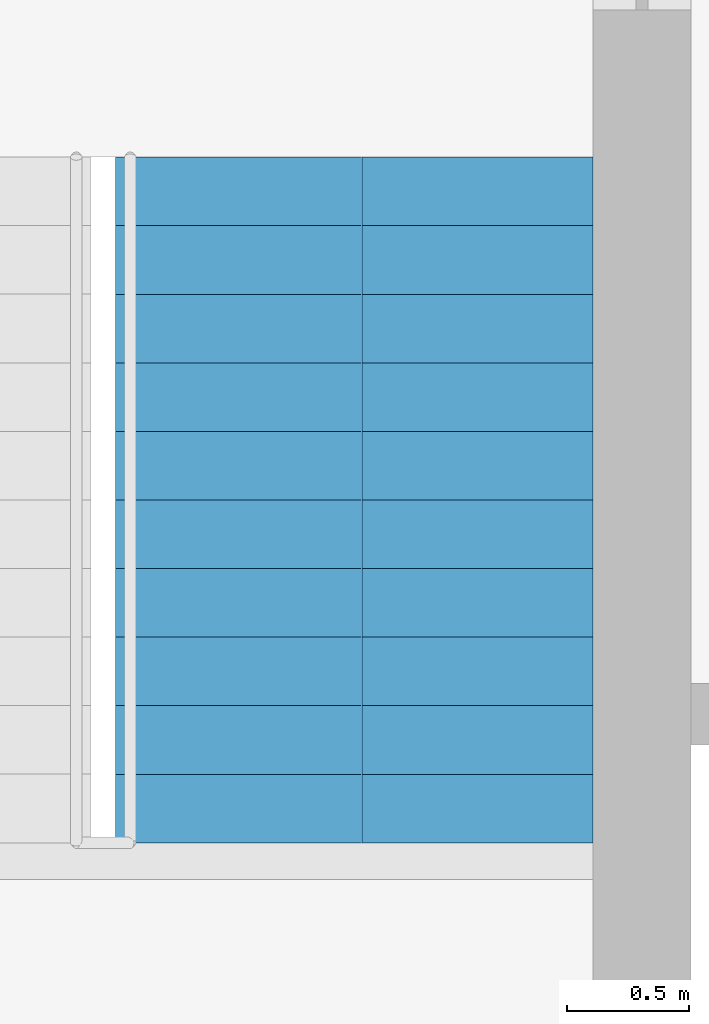
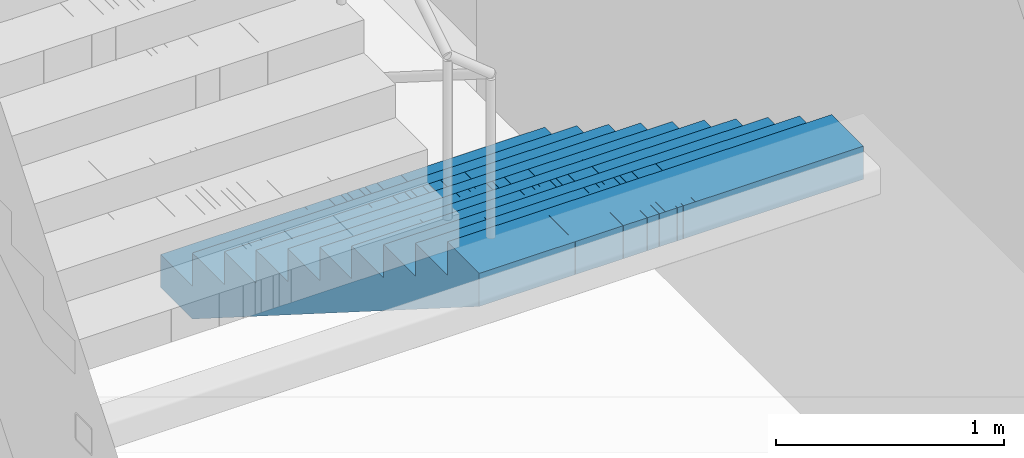
# One storey, part 21 of 22: 1 stair flight, 1 element without a shape of its own.
"""IFC4 building model written with IfcOpenShell, lengths in metres."""

from ifc_helpers import new_model, si_unit, direction, frame, origin, place, context, subcontext, project, spatial, polyline, outline, extrude, material, type_object, element, aggregate, save


model = new_model("IFC4")

# Units and contexts
model_context = context("Model", 3, precision=1e-05, world=origin(), true_north=direction((0.0, 1.0)))
body_context = subcontext(model_context, "Body", "Model", "MODEL_VIEW")
ifc_project = project(units=[si_unit("LENGTHUNIT", "METRE"), si_unit("AREAUNIT", "SQUARE_METRE"), si_unit("VOLUMEUNIT", "CUBIC_METRE"), si_unit("PLANEANGLEUNIT", "RADIAN"), si_unit("MASSUNIT", "GRAM", prefix="KILO")], contexts=[model_context])

# Site, building, storey
site_placement = place(None, origin())
site = spatial("IfcSite", under=ifc_project, at=site_placement, CompositionType="ELEMENT")
building_placement = place(site_placement, origin())
building = spatial("IfcBuilding", under=site, at=building_placement, Name="Mizan Broadcast Tower", CompositionType="ELEMENT")
storey_placement = place(building_placement, frame((0.0, 0.0, 98.10009765625)))
storey = spatial("IfcBuildingStorey", under=building, at=storey_placement, Name="L21", CompositionType="ELEMENT", Elevation=98.10009765625)

# Stair, stair flight
ifc_material_1 = material(Name="Concrete C40/50", Category="concrete")
stair_type = type_object("IfcStairType", Name="EXIT STAIR", PredefinedType="HALF_TURN_STAIR", material=ifc_material_1)
stair_placement = place(storey_placement, origin())
stair = element("IfcStair", 1, at=stair_placement, inside=storey, type_object=stair_type, Name="Stair B L21", PredefinedType="HALF_TURN_STAIR")
ifc_material_2 = material(Name="Concrete C40/50", Category="concrete")
stair_flight_type = type_object("IfcStairFlightType", Name="EXIT STAIR FLIGHT", PredefinedType="STRAIGHT", material=ifc_material_2)
stair_flight_placement = place(storey_placement, frame((1.02490234375, 7.89990234375, 0.0), z_axis=(0.0, 0.0, 1.0), x_axis=(0.0, -1.0, 0.0)))
stair_flight = element("IfcStairFlight", 2, at=stair_flight_placement, type_object=stair_flight_type, Name="B flight 1", NumberOfRisers=11, NumberOfTreads=10, PredefinedType="STRAIGHT", RiserHeight=0.177272727, TreadLength=0.28, context=body_context, shape_type="SweptSolid", body=[
    extrude(outline(polyline([(0.0, 0.0), (0.0, 0.17724609375), (0.280029296875, 0.17724609375), (0.280029296875, 0.3544921875), (0.56005859375, 0.3544921875), (0.56005859375, 0.53173828125), (0.840087890625, 0.53173828125), (0.840087890625, 0.708984375), (1.1201171875, 0.708984375), (1.1201171875, 0.886474609375), (1.39990234375, 0.886474609375), (1.39990234375, 1.063720703125), (1.679931640625, 1.063720703125), (1.679931640625, 1.240966796875), (1.9599609375, 1.240966796875), (1.9599609375, 1.418212890625), (2.239990234375, 1.418212890625), (2.239990234375, 1.595458984375), (2.52001953125, 1.595458984375), (2.52001953125, 1.772705078125), (2.800048828125, 1.772705078125), (2.800048828125, 1.949951171875), (2.800048828125, 1.59521484375), (0.2802734375, 0.0), (0.0, 0.0)])), frame((0.0, 0.97509765625, 0.0), z_axis=(0.0, -1.0, 0.0), x_axis=(1.0, 0.0, 0.0)), (0.0, 0.0, 1.0), 0.4873046875),
    extrude(outline(polyline([(0.0, 0.0), (0.0, 0.17724609375), (0.280029296875, 0.17724609375), (0.280029296875, 0.3544921875), (0.56005859375, 0.3544921875), (0.56005859375, 0.53173828125), (0.840087890625, 0.53173828125), (0.840087890625, 0.708984375), (1.1201171875, 0.708984375), (1.1201171875, 0.886474609375), (1.39990234375, 0.886474609375), (1.39990234375, 1.063720703125), (1.679931640625, 1.063720703125), (1.679931640625, 1.240966796875), (1.9599609375, 1.240966796875), (1.9599609375, 1.418212890625), (2.239990234375, 1.418212890625), (2.239990234375, 1.595458984375), (2.52001953125, 1.595458984375), (2.52001953125, 1.772705078125), (2.800048828125, 1.772705078125), (2.800048828125, 1.949951171875), (2.800048828125, 1.59521484375), (0.2802734375, 0.0), (0.0, 0.0)])), frame((0.0, 0.4873046875, 0.0), z_axis=(0.0, -1.0, 0.0), x_axis=(1.0, 0.0, 0.0)), (0.0, 0.0, 1.0), 0.2431640625),
    extrude(outline(polyline([(0.0, 0.0), (0.0, 0.17724609375), (0.280029296875, 0.17724609375), (0.280029296875, 0.3544921875), (0.56005859375, 0.3544921875), (0.56005859375, 0.53173828125), (0.840087890625, 0.53173828125), (0.840087890625, 0.708984375), (1.1201171875, 0.708984375), (1.1201171875, 0.886474609375), (1.39990234375, 0.886474609375), (1.39990234375, 1.063720703125), (1.679931640625, 1.063720703125), (1.679931640625, 1.240966796875), (1.9599609375, 1.240966796875), (1.9599609375, 1.418212890625), (2.239990234375, 1.418212890625), (2.239990234375, 1.595458984375), (2.52001953125, 1.595458984375), (2.52001953125, 1.772705078125), (2.800048828125, 1.772705078125), (2.800048828125, 1.949951171875), (2.800048828125, 1.59521484375), (0.2802734375, 0.0), (0.0, 0.0)])), frame((0.0, 0.24365234375, 0.0), z_axis=(0.0, -1.0, 0.0), x_axis=(1.0, 0.0, 0.0)), (0.0, 0.0, 1.0), 0.121337890625),
    extrude(outline(polyline([(0.0, 0.0), (0.0, 0.17724609375), (0.280029296875, 0.17724609375), (0.280029296875, 0.3544921875), (0.56005859375, 0.3544921875), (0.56005859375, 0.53173828125), (0.840087890625, 0.53173828125), (0.840087890625, 0.708984375), (1.1201171875, 0.708984375), (1.1201171875, 0.886474609375), (1.39990234375, 0.886474609375), (1.39990234375, 1.063720703125), (1.679931640625, 1.063720703125), (1.679931640625, 1.240966796875), (1.9599609375, 1.240966796875), (1.9599609375, 1.418212890625), (2.239990234375, 1.418212890625), (2.239990234375, 1.595458984375), (2.52001953125, 1.595458984375), (2.52001953125, 1.772705078125), (2.800048828125, 1.772705078125), (2.800048828125, 1.949951171875), (2.800048828125, 1.59521484375), (0.2802734375, 0.0), (0.0, 0.0)])), frame((0.0, 0.121826171875, 0.0), z_axis=(0.0, -1.0, 0.0), x_axis=(1.0, 0.0, 0.0)), (0.0, 0.0, 1.0), 0.060546875),
    extrude(outline(polyline([(0.0, 0.0), (0.0, 0.17724609375), (0.280029296875, 0.17724609375), (0.280029296875, 0.3544921875), (0.56005859375, 0.3544921875), (0.56005859375, 0.53173828125), (0.840087890625, 0.53173828125), (0.840087890625, 0.708984375), (1.1201171875, 0.708984375), (1.1201171875, 0.886474609375), (1.39990234375, 0.886474609375), (1.39990234375, 1.063720703125), (1.679931640625, 1.063720703125), (1.679931640625, 1.240966796875), (1.9599609375, 1.240966796875), (1.9599609375, 1.418212890625), (2.239990234375, 1.418212890625), (2.239990234375, 1.595458984375), (2.52001953125, 1.595458984375), (2.52001953125, 1.772705078125), (2.800048828125, 1.772705078125), (2.800048828125, 1.949951171875), (2.800048828125, 1.59521484375), (0.2802734375, 0.0), (0.0, 0.0)])), frame((0.0, 0.060791015625, 0.0), z_axis=(0.0, -1.0, 0.0), x_axis=(1.0, 0.0, 0.0)), (0.0, 0.0, 1.0), 0.030029296875),
    extrude(outline(polyline([(0.0, 0.0), (0.0, 0.17724609375), (0.280029296875, 0.17724609375), (0.280029296875, 0.3544921875), (0.56005859375, 0.3544921875), (0.56005859375, 0.53173828125), (0.840087890625, 0.53173828125), (0.840087890625, 0.708984375), (1.1201171875, 0.708984375), (1.1201171875, 0.886474609375), (1.39990234375, 0.886474609375), (1.39990234375, 1.063720703125), (1.679931640625, 1.063720703125), (1.679931640625, 1.240966796875), (1.9599609375, 1.240966796875), (1.9599609375, 1.418212890625), (2.239990234375, 1.418212890625), (2.239990234375, 1.595458984375), (2.52001953125, 1.595458984375), (2.52001953125, 1.772705078125), (2.800048828125, 1.772705078125), (2.800048828125, 1.949951171875), (2.800048828125, 1.59521484375), (0.2802734375, 0.0), (0.0, 0.0)])), frame((0.0, 0.0302734375, 0.0), z_axis=(0.0, -1.0, 0.0), x_axis=(1.0, 0.0, 0.0)), (0.0, 0.0, 1.0), 0.060302734375),
    extrude(outline(polyline([(0.0, 0.0), (0.0, 0.17724609375), (0.280029296875, 0.17724609375), (0.280029296875, 0.3544921875), (0.56005859375, 0.3544921875), (0.56005859375, 0.53173828125), (0.840087890625, 0.53173828125), (0.840087890625, 0.708984375), (1.1201171875, 0.708984375), (1.1201171875, 0.886474609375), (1.39990234375, 0.886474609375), (1.39990234375, 1.063720703125), (1.679931640625, 1.063720703125), (1.679931640625, 1.240966796875), (1.9599609375, 1.240966796875), (1.9599609375, 1.418212890625), (2.239990234375, 1.418212890625), (2.239990234375, 1.595458984375), (2.52001953125, 1.595458984375), (2.52001953125, 1.772705078125), (2.800048828125, 1.772705078125), (2.800048828125, 1.949951171875), (2.800048828125, 1.59521484375), (0.2802734375, 0.0), (0.0, 0.0)])), frame((0.0, -0.030517578125, 0.0), z_axis=(0.0, -1.0, 0.0), x_axis=(1.0, 0.0, 0.0)), (0.0, 0.0, 1.0), 0.030029296875),
    extrude(outline(polyline([(0.0, 0.0), (0.0, 0.17724609375), (0.280029296875, 0.17724609375), (0.280029296875, 0.3544921875), (0.56005859375, 0.3544921875), (0.56005859375, 0.53173828125), (0.840087890625, 0.53173828125), (0.840087890625, 0.708984375), (1.1201171875, 0.708984375), (1.1201171875, 0.886474609375), (1.39990234375, 0.886474609375), (1.39990234375, 1.063720703125), (1.679931640625, 1.063720703125), (1.679931640625, 1.240966796875), (1.9599609375, 1.240966796875), (1.9599609375, 1.418212890625), (2.239990234375, 1.418212890625), (2.239990234375, 1.595458984375), (2.52001953125, 1.595458984375), (2.52001953125, 1.772705078125), (2.800048828125, 1.772705078125), (2.800048828125, 1.949951171875), (2.800048828125, 1.59521484375), (0.2802734375, 0.0), (0.0, 0.0)])), frame((0.0, -0.06103515625, 0.0), z_axis=(0.0, -1.0, 0.0), x_axis=(1.0, 0.0, 0.0)), (0.0, 0.0, 1.0), 0.060546875),
    extrude(outline(polyline([(0.0, 0.0), (0.0, 0.17724609375), (0.280029296875, 0.17724609375), (0.280029296875, 0.3544921875), (0.56005859375, 0.3544921875), (0.56005859375, 0.53173828125), (0.840087890625, 0.53173828125), (0.840087890625, 0.708984375), (1.1201171875, 0.708984375), (1.1201171875, 0.886474609375), (1.39990234375, 0.886474609375), (1.39990234375, 1.063720703125), (1.679931640625, 1.063720703125), (1.679931640625, 1.240966796875), (1.9599609375, 1.240966796875), (1.9599609375, 1.418212890625), (2.239990234375, 1.418212890625), (2.239990234375, 1.595458984375), (2.52001953125, 1.595458984375), (2.52001953125, 1.772705078125), (2.800048828125, 1.772705078125), (2.800048828125, 1.949951171875), (2.800048828125, 1.59521484375), (0.2802734375, 0.0), (0.0, 0.0)])), frame((0.0, -0.1220703125, 0.0), z_axis=(0.0, -1.0, 0.0), x_axis=(1.0, 0.0, 0.0)), (0.0, 0.0, 1.0), 0.121337890625),
    extrude(outline(polyline([(0.0, 0.0), (0.0, 0.17724609375), (0.280029296875, 0.17724609375), (0.280029296875, 0.3544921875), (0.56005859375, 0.3544921875), (0.56005859375, 0.53173828125), (0.840087890625, 0.53173828125), (0.840087890625, 0.708984375), (1.1201171875, 0.708984375), (1.1201171875, 0.886474609375), (1.39990234375, 0.886474609375), (1.39990234375, 1.063720703125), (1.679931640625, 1.063720703125), (1.679931640625, 1.240966796875), (1.9599609375, 1.240966796875), (1.9599609375, 1.418212890625), (2.239990234375, 1.418212890625), (2.239990234375, 1.595458984375), (2.52001953125, 1.595458984375), (2.52001953125, 1.772705078125), (2.800048828125, 1.772705078125), (2.800048828125, 1.949951171875), (2.800048828125, 1.59521484375), (0.2802734375, 0.0), (0.0, 0.0)])), frame((0.0, -0.243896484375, 0.0), z_axis=(0.0, -1.0, 0.0), x_axis=(1.0, 0.0, 0.0)), (0.0, 0.0, 1.0), 0.2431640625),
    extrude(outline(polyline([(0.0, 0.0), (0.0, 0.17724609375), (0.280029296875, 0.17724609375), (0.280029296875, 0.3544921875), (0.56005859375, 0.3544921875), (0.56005859375, 0.53173828125), (0.840087890625, 0.53173828125), (0.840087890625, 0.708984375), (1.1201171875, 0.708984375), (1.1201171875, 0.886474609375), (1.39990234375, 0.886474609375), (1.39990234375, 1.063720703125), (1.679931640625, 1.063720703125), (1.679931640625, 1.240966796875), (1.9599609375, 1.240966796875), (1.9599609375, 1.418212890625), (2.239990234375, 1.418212890625), (2.239990234375, 1.595458984375), (2.52001953125, 1.595458984375), (2.52001953125, 1.772705078125), (2.800048828125, 1.772705078125), (2.800048828125, 1.949951171875), (2.800048828125, 1.59521484375), (0.2802734375, 0.0), (0.0, 0.0)])), frame((0.0, -0.487548828125, 0.0), z_axis=(0.0, -1.0, 0.0), x_axis=(1.0, 0.0, 0.0)), (0.0, 0.0, 1.0), 0.4873046875),
])
aggregate(stair, [stair_flight])

save(model, "model.ifc")
